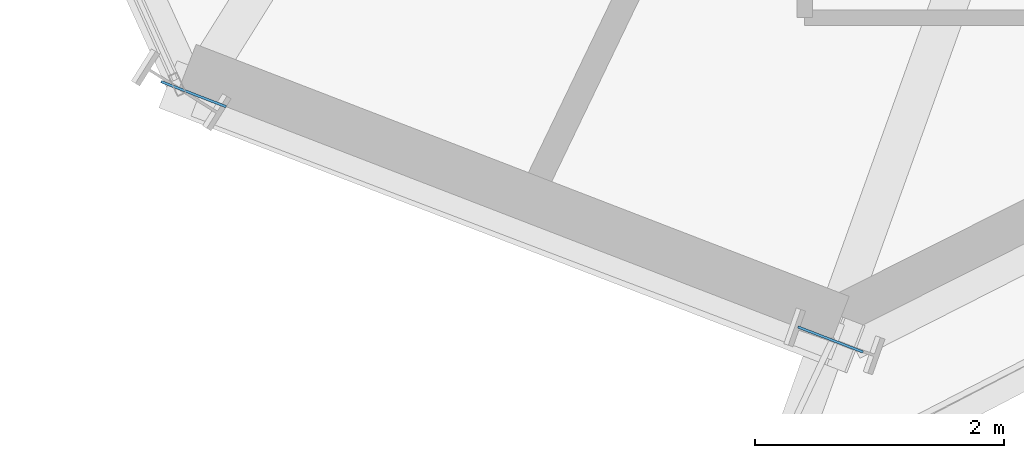
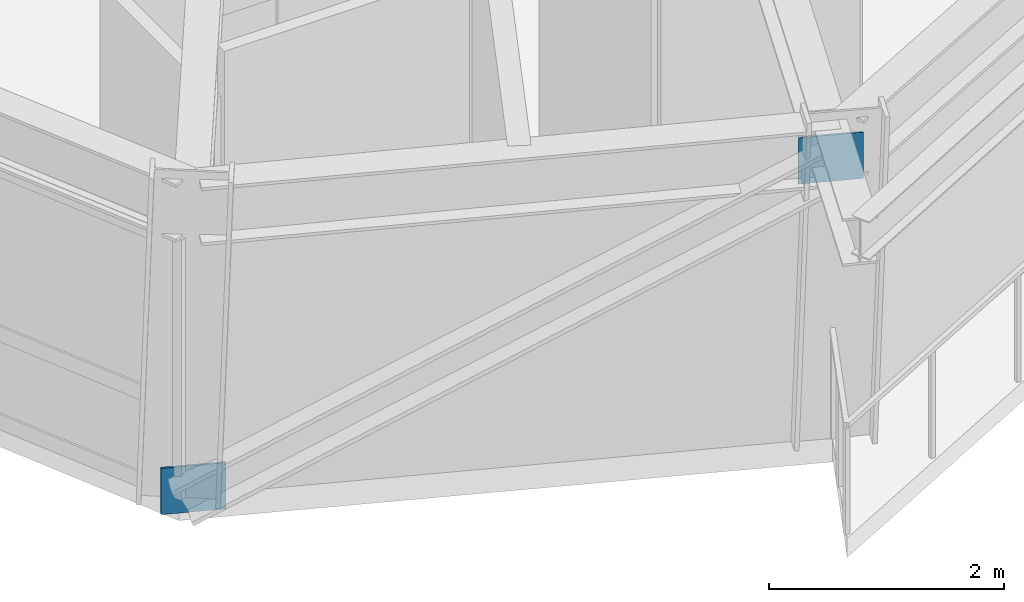
# One storey, part 10 of 22: 2 plates.
"""IFC4 building model written with IfcOpenShell, lengths in metres."""

import ifcopenshell
import ifcopenshell.guid

model = None  # the IFC model being written
_history = None  # IfcOwnerHistory: only IFC2X3 demands one
_inside = {}  # id of a spatial element -> (the spatial element, [elements in it])
_under = {}  # id of a project, library or spatial element -> (it, [spatial elements below it])
_declared = {}  # id of a project -> (the project, [libraries it declares])
_typed = {}  # id of a type object -> (the type object, [elements of that type])
_made_of = {}  # id of a material, layer set ... -> (it, [elements and type objects made of it])


def new_model(schema):
    """Start an empty IFC model of exactly this schema.

    Asked for "IFC4X3", IfcOpenShell would pick the latest addendum, in which some entities
    have other attributes; the version numbers below select the first issue.
    IFC2X3 requires an IfcOwnerHistory on every rooted entity: one is made here for all.
    """
    global model, _history
    if schema == "IFC4X3":
        model = ifcopenshell.file(schema_version=(4, 3, 0, 0))
    else:
        model = ifcopenshell.file(schema=schema)
    _inside.clear()
    _under.clear()
    _declared.clear()
    _typed.clear()
    _made_of.clear()
    _history = None
    if model.schema == "IFC2X3":
        org = make("IfcOrganization", Name="unknown")
        user = make(
            "IfcPersonAndOrganization",
            ThePerson=make("IfcPerson", FamilyName="unknown"),
            TheOrganization=org,
        )
        app = make(
            "IfcApplication",
            ApplicationDeveloper=org,
            Version="unknown",
            ApplicationFullName="unknown",
            ApplicationIdentifier="unknown",
        )
        _history = make(
            "IfcOwnerHistory",
            OwningUser=user,
            OwningApplication=app,
            ChangeAction="ADDED",
            CreationDate=0,
        )
    return model


def make(cls, **values):
    """One entity of the class cls with the attributes given. An attribute that is None is left unset."""
    return model.create_entity(
        cls, **{name: value for name, value in values.items() if value is not None}
    )


def rooted(cls, **values):
    """An entity with a GlobalId (a new one), such as an element, a storey or a relation."""
    return make(cls, GlobalId=ifcopenshell.guid.new(), OwnerHistory=_history, **values)


def si_unit(unit_type, name, prefix=None):
    """IfcSIUnit, for example si_unit("LENGTHUNIT", "METRE", prefix="MILLI")."""
    return make("IfcSIUnit", UnitType=unit_type, Prefix=prefix, Name=name)


def assignment(units):
    """IfcUnitAssignment: the units of a project."""
    return None if units is None else make("IfcUnitAssignment", Units=units)


def point(xyz):
    """IfcCartesianPoint."""
    return None if xyz is None else make("IfcCartesianPoint", Coordinates=xyz)


def direction(xyz):
    """IfcDirection."""
    return None if xyz is None else make("IfcDirection", DirectionRatios=xyz)


def frame(location, z_axis=None, x_axis=None):
    """IfcAxis2Placement3D, a coordinate frame: its origin and axes. An axis left out is left unset."""
    return make(
        "IfcAxis2Placement3D",
        Location=point(location),
        Axis=direction(z_axis),
        RefDirection=direction(x_axis),
    )


def frame_2d(location, x_axis=None):
    """IfcAxis2Placement2D, a coordinate frame in the plane: its origin and x axis."""
    return make(
        "IfcAxis2Placement2D", Location=point(location), RefDirection=direction(x_axis)
    )


def origin():
    """The frame at (0, 0, 0) with its axes left unset."""
    return frame((0.0, 0.0, 0.0))


def origin_2d():
    """The frame at (0, 0) in the plane with its x axis left unset."""
    return frame_2d((0.0, 0.0))


def place(relative_to, where):
    """IfcLocalPlacement: puts the frame where relative to a parent placement (None: the world)."""
    return make(
        "IfcLocalPlacement", PlacementRelTo=relative_to, RelativePlacement=where
    )


def context(
    kind, dimensions, precision=None, world=None, true_north=None, identifier=None
):
    """IfcGeometricRepresentationContext, for example the 3D "Model" context."""
    return make(
        "IfcGeometricRepresentationContext",
        ContextIdentifier=identifier,
        ContextType=kind,
        CoordinateSpaceDimension=dimensions,
        Precision=precision,
        WorldCoordinateSystem=world,
        TrueNorth=true_north,
    )


def subcontext(parent, identifier, kind, view, scale=None):
    """IfcGeometricRepresentationSubContext, for example "Body" below "Model"."""
    return make(
        "IfcGeometricRepresentationSubContext",
        ContextIdentifier=identifier,
        ContextType=kind,
        ParentContext=parent,
        TargetScale=scale,
        TargetView=view,
    )


def project(units=None, contexts=None):
    """IfcProject with its units and contexts."""
    return rooted(
        "IfcProject",
        Name="project",
        RepresentationContexts=contexts,
        UnitsInContext=assignment(units),
    )


def spatial(cls, under=None, at=None, **own):
    """A site, building, storey or space (cls), placed at a placement, below another one or the project."""
    s = rooted(cls, ObjectPlacement=at, **own)
    if under is not None:
        _under.setdefault(under.id(), (under, []))[1].append(s)
    return s


def profile(cls, at=None, kind="AREA", **sizes):
    """A parametric profile (cls). Its sizes go by their IFC names, for example OverallWidth=200.0."""
    return make(cls, ProfileType=kind, Position=at, **sizes)


def rectangle(**sizes):
    """IfcRectangleProfileDef."""
    return profile("IfcRectangleProfileDef", **sizes)


def extrude(swept, where, along, depth):
    """IfcExtrudedAreaSolid: the profile swept, set in the frame where, extruded along a direction by depth."""
    return make(
        "IfcExtrudedAreaSolid",
        SweptArea=swept,
        Position=where,
        ExtrudedDirection=direction(along),
        Depth=depth,
    )


def shape(context_of_items, identifier, shape_type, items):
    """IfcShapeRepresentation: the items that make up one representation, for example the "Body"."""
    return make(
        "IfcShapeRepresentation",
        ContextOfItems=context_of_items,
        RepresentationIdentifier=identifier,
        RepresentationType=shape_type,
        Items=items,
    )


def source(mapping_origin, context_of_items, identifier, shape_type, items):
    """IfcRepresentationMap: a shape defined once, which mapped items show again and again."""
    return make(
        "IfcRepresentationMap",
        MappingOrigin=mapping_origin,
        MappedRepresentation=shape(context_of_items, identifier, shape_type, items),
    )


def transform(
    local_origin,
    x_axis=None,
    y_axis=None,
    z_axis=None,
    scale=None,
    scale2=None,
    scale3=None,
    uniform=True,
):
    """IfcCartesianTransformationOperator3D, or its non-uniform kind. x_axis, y_axis, z_axis: its Axis1, 2, 3."""
    if uniform:
        return make(
            "IfcCartesianTransformationOperator3D",
            Axis1=direction(x_axis),
            Axis2=direction(y_axis),
            LocalOrigin=point(local_origin),
            Scale=scale,
            Axis3=direction(z_axis),
        )
    return make(
        "IfcCartesianTransformationOperator3DnonUniform",
        Axis1=direction(x_axis),
        Axis2=direction(y_axis),
        LocalOrigin=point(local_origin),
        Scale=scale,
        Axis3=direction(z_axis),
        Scale2=scale2,
        Scale3=scale3,
    )


def mapped(mapping_source, mapping_target):
    """IfcMappedItem: shows the shape of a source again, moved by a transform."""
    return make(
        "IfcMappedItem", MappingSource=mapping_source, MappingTarget=mapping_target
    )


def material(Name=None, Category=None):
    """IfcMaterial."""
    return make("IfcMaterial", Name=Name, Category=Category)


def made_of(thing, what):
    """Note that an element or type object is made of a material, layer set ...; save() writes the relation."""
    if what is not None:
        _made_of.setdefault(what.id(), (what, []))[1].append(thing)
    return thing


def type_object(cls, material=None, **own):
    """A type object (cls), such as IfcWallType, which elements share."""
    return made_of(rooted(cls, **own), material)


def element(
    cls,
    number,
    at=None,
    inside=None,
    cuts=None,
    type_object=None,
    material=None,
    context=None,
    identifier="Body",
    shape_type=None,
    held_by="IfcProductDefinitionShape",
    body=None,
    shapes=None,
    **own,
):
    """One element of the class cls, such as IfcWall. Its Tag is "e" and its number.

    at: its placement. inside: the storey or other place that contains it. cuts: it is an
    opening in that element (IfcRelVoidsElement). A single representation is given by context,
    identifier, shape_type and body (its items); several are given by shapes. held_by: the class
    of the entity that holds the representations. save() writes the other relations.
    """
    e = rooted(cls, Tag="e%d" % number, ObjectPlacement=at, **own)
    if body is not None:
        shapes = [shape(context, identifier, shape_type, body)]
    if shapes is not None:
        e.Representation = make(held_by, Representations=shapes)
    if inside is not None:
        _inside.setdefault(inside.id(), (inside, []))[1].append(e)
    if cuts is not None:
        rooted(
            "IfcRelVoidsElement", RelatingBuildingElement=cuts, RelatedOpeningElement=e
        )
    if type_object is not None:
        _typed.setdefault(type_object.id(), (type_object, []))[1].append(e)
    return made_of(e, material)


def aggregate(whole, parts):
    """IfcRelAggregates: a whole, such as a stair, and the parts it consists of."""
    return rooted("IfcRelAggregates", RelatingObject=whole, RelatedObjects=parts)


def save(model, path):
    """Write the relations noted so far, then the file.

    IfcRelAggregates (storeys below a building ...), IfcRelContainedInSpatialStructure (elements
    in a storey), IfcRelDefinesByType, IfcRelAssociatesMaterial and IfcRelDeclares: one each for
    every whole, place, type object, material and project.
    """
    for whole, parts in _under.values():
        aggregate(whole, parts)
    for where, things in _inside.values():
        rooted(
            "IfcRelContainedInSpatialStructure",
            RelatedElements=things,
            RelatingStructure=where,
        )
    for kind, things in _typed.values():
        rooted("IfcRelDefinesByType", RelatedObjects=things, RelatingType=kind)
    for what, things in _made_of.values():
        rooted("IfcRelAssociatesMaterial", RelatedObjects=things, RelatingMaterial=what)
    for by, libraries in _declared.values():
        rooted("IfcRelDeclares", RelatingContext=by, RelatedDefinitions=libraries)
    model.write(path)


model = new_model("IFC4")

# Units and contexts
model_context = context("Model", 3, precision=1e-05, world=origin(), true_north=direction((0.0, 1.0)))
body_context = subcontext(model_context, "Body", "Model", "MODEL_VIEW")
ifc_project = project(units=[si_unit("LENGTHUNIT", "METRE"), si_unit("AREAUNIT", "SQUARE_METRE"), si_unit("VOLUMEUNIT", "CUBIC_METRE"), si_unit("PLANEANGLEUNIT", "RADIAN"), si_unit("MASSUNIT", "GRAM", prefix="KILO")], contexts=[model_context])

# Site, building, storey
site_placement = place(None, origin())
site = spatial("IfcSite", under=ifc_project, at=site_placement, CompositionType="ELEMENT")
building_placement = place(site_placement, origin())
building = spatial("IfcBuilding", under=site, at=building_placement, Name="Olszyna Solenne Hotel", CompositionType="ELEMENT")
storey_placement = place(building_placement, frame((0.0, 0.0, 87.949951171875)))
storey = spatial("IfcBuildingStorey", under=building, at=storey_placement, Name="L22", CompositionType="ELEMENT", Elevation=87.949951171875)

# Plates
ifc_material = material(Name="Steel S355J2", Category="steel")
plate_type = type_object("IfcPlateType", Name="GP-ND2", PredefinedType="USERDEFINED", material=ifc_material)
shared_shape = source(origin(), body_context, "Body", "SweptSolid", [
    extrude(rectangle(XDim=0.56005859375, YDim=0.02001953125, at=origin_2d()), origin(), (0.0, 0.0, 1.0), 0.47998046875),
])
for number, where, z_axis, x_axis, name in (
    (1, (24.54443359375, 5.08935546875, -0.16552734375), (0.0, 0.0, 1.0), (0.933141900818, -0.359508265466, 0.0), "Brace end connection gusset plate GP-ND2 EP-BR-L22-3-1"),
    (2, (29.65869140625, 3.119140625, 2.665771484375), (0.0, 0.0, 1.0), (0.933141900818, -0.359508265466, 0.0), "Brace end connection gusset plate GP-ND2 EP-BR-L22-3-2"),
):
    element("IfcPlate", number, at=place(storey_placement, frame(where, z_axis=z_axis, x_axis=x_axis)), inside=storey, type_object=plate_type, Name=name, ObjectType="GUSSET_PLATE", PredefinedType="USERDEFINED", context=body_context, shape_type="MappedRepresentation", body=[
        mapped(shared_shape, transform((0.0, 0.0, 0.0), x_axis=(1.0, 0.0, 0.0), y_axis=(0.0, 1.0, 0.0), z_axis=(0.0, 0.0, 1.0), scale=1.0)),
    ])

save(model, "model.ifc")
